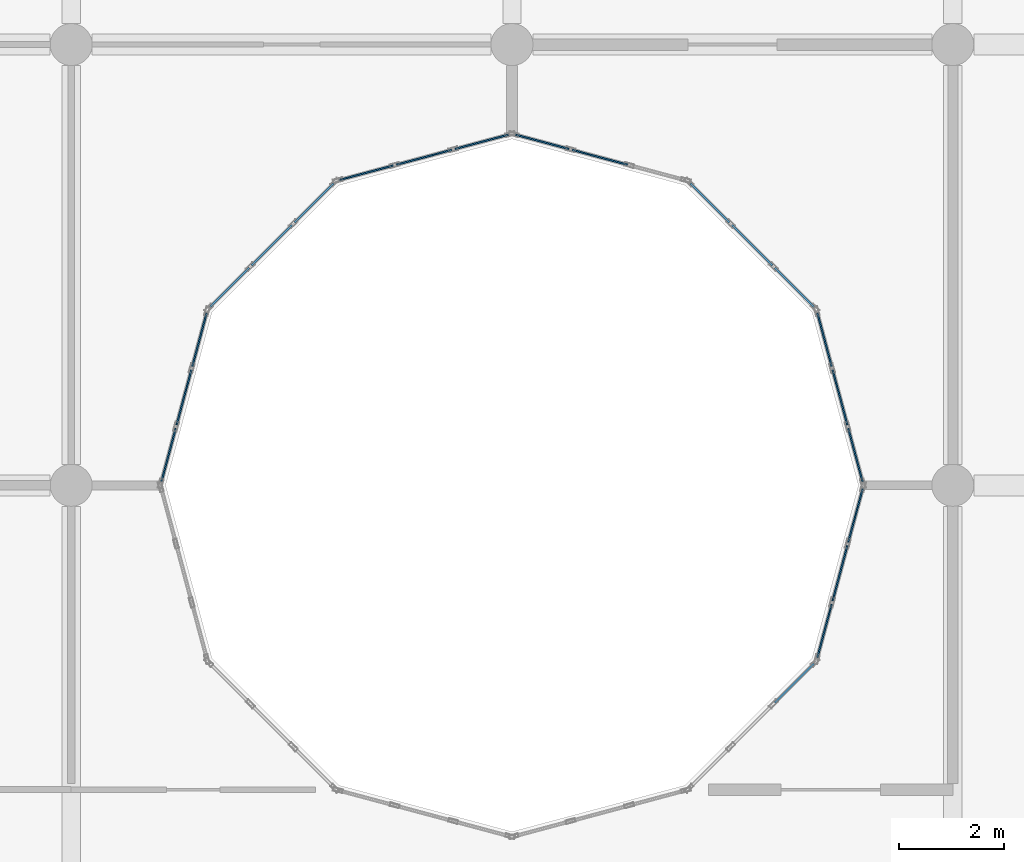
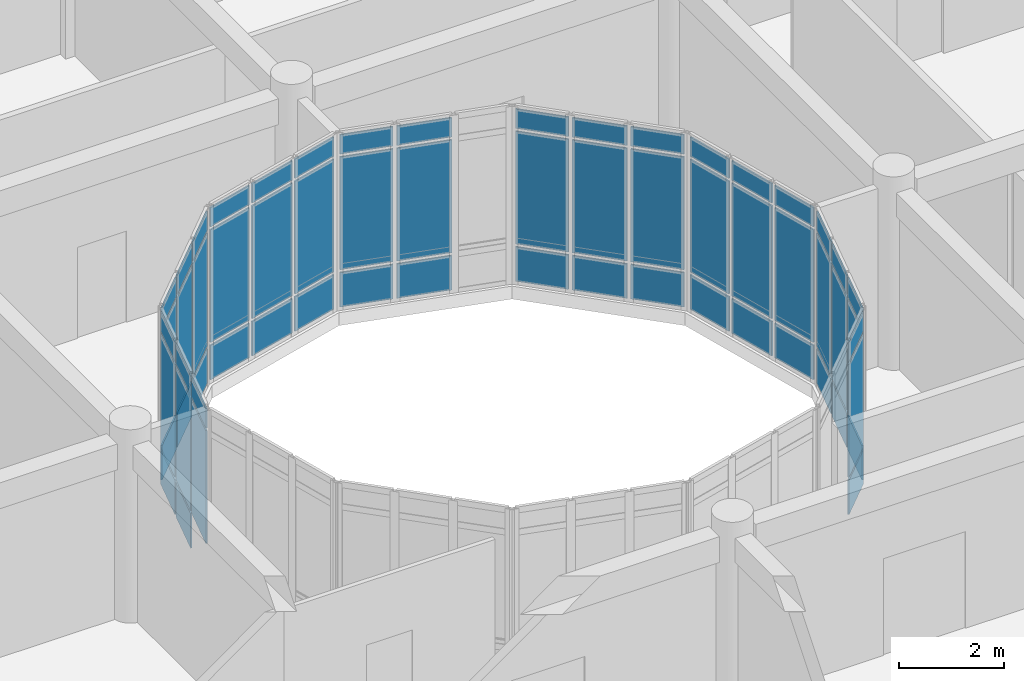
# One storey, part 79 of 144: 62 plates, 8 elements without a shape of their own.
"""IFC4 building model written with IfcOpenShell, lengths in metres."""

from ifc_helpers import new_model, si_unit, direction, frame, origin, origin_2d, place, context, subcontext, project, spatial, rectangle, extrude, material, layer, layer_set, type_object, element, aggregate, save


model = new_model("IFC4")

# Units and contexts
model_context = context("Model", 3, precision=1e-05, world=origin(), true_north=direction((0.0, 1.0)))
body_context = subcontext(model_context, "Body", "Model", "MODEL_VIEW")
ifc_project = project(units=[si_unit("LENGTHUNIT", "METRE"), si_unit("AREAUNIT", "SQUARE_METRE"), si_unit("VOLUMEUNIT", "CUBIC_METRE"), si_unit("PLANEANGLEUNIT", "RADIAN"), si_unit("MASSUNIT", "GRAM", prefix="KILO")], contexts=[model_context])

# Site, building, storey
site_placement = place(None, origin())
site = spatial("IfcSite", under=ifc_project, at=site_placement, CompositionType="ELEMENT")
building_placement = place(site_placement, origin())
building = spatial("IfcBuilding", under=site, at=building_placement, Name="Bramfleet General Hospital", CompositionType="ELEMENT")
storey_placement = place(building_placement, frame((0.0, 0.0, 4.800048828125)))
storey = spatial("IfcBuildingStorey", under=building, at=storey_placement, Name="L01", CompositionType="ELEMENT", Elevation=4.800048828125)

# Curtain wall, plates
ifc_material_1 = material(Name="Anodised aluminium and low-E triple glazing", Category="aluminium")
ifc_layer_1 = layer(ifc_material_1, 0.179931640625, Name="CWT-CW-13")
ifc_layer_set_1 = layer_set([ifc_layer_1], Name="Anodised aluminium and low-E triple glazing")
curtain_wall_type_1 = type_object("IfcCurtainWallType", Name="CWT-CW-13", PredefinedType="USERDEFINED", material=ifc_layer_set_1)
curtain_wall_1_placement = place(storey_placement, origin())
curtain_wall_1 = element("IfcCurtainWall", 1, at=curtain_wall_1_placement, inside=storey, type_object=curtain_wall_type_1, Name="L01 West Clinical Light Court Curtain Wall 5.1", ObjectType="Stick curtain wall", PredefinedType="USERDEFINED")
ifc_material_2 = material(Name="Low-E laminated safety glass", Category="glass")
ifc_layer_2 = layer(ifc_material_2, 0.031982421875, Name="CWP-GLZ-2")
ifc_layer_set_2 = layer_set([ifc_layer_2], Name="Low-E laminated safety glass")
plate_type = type_object("IfcPlateType", Name="CWP-GLZ-2", PredefinedType="CURTAIN_PANEL", material=ifc_layer_set_2)
plate_1_placement = place(storey_placement, frame((30.5810546875, 80.22900390625, 0.06494140625), z_axis=(0.0, 0.0, 1.0), x_axis=(0.707106781187, 0.707106781187, 0.0)))
plate_1 = element("IfcPlate", 2, at=plate_1_placement, type_object=plate_type, Name="CW-13 panel 3.1", PredefinedType="CURTAIN_PANEL", context=body_context, shape_type="SweptSolid", body=[
    extrude(rectangle(XDim=1.05078125, YDim=0.031982421875, at=origin_2d()), origin(), (0.0, 0.0, 1.0), 0.802490234375),
])
plate_2_placement = place(storey_placement, frame((30.5810546875, 80.22900390625, 0.932373046875), z_axis=(0.0, 0.0, 1.0), x_axis=(0.707106781187, 0.707106781187, 0.0)))
plate_2 = element("IfcPlate", 3, at=plate_2_placement, type_object=plate_type, Name="CW-13 panel 3.2", PredefinedType="CURTAIN_PANEL", context=body_context, shape_type="SweptSolid", body=[
    extrude(rectangle(XDim=1.05078125, YDim=0.031982421875, at=origin_2d()), origin(), (0.0, 0.0, 1.0), 2.625),
])
plate_3_placement = place(storey_placement, frame((30.5810546875, 80.22900390625, 3.62255859375), z_axis=(0.0, 0.0, 1.0), x_axis=(0.707106781187, 0.707106781187, 0.0)))
plate_3 = element("IfcPlate", 4, at=plate_3_placement, type_object=plate_type, Name="CW-13 panel 3.3", PredefinedType="CURTAIN_PANEL", context=body_context, shape_type="SweptSolid", body=[
    extrude(rectangle(XDim=1.05078125, YDim=0.031982421875, at=origin_2d()), origin(), (0.0, 0.0, 1.0), 0.452392578125),
])
aggregate(curtain_wall_1, [plate_1, plate_2, plate_3])

ifc_layer_3 = layer(ifc_material_1, 0.179931640625, Name="CWT-CW-14")
ifc_layer_set_3 = layer_set([ifc_layer_3], Name="Anodised aluminium and low-E triple glazing")
curtain_wall_type_2 = type_object("IfcCurtainWallType", Name="CWT-CW-14", PredefinedType="USERDEFINED", material=ifc_layer_set_3)
curtain_wall_2_placement = place(storey_placement, origin())
curtain_wall_2 = element("IfcCurtainWall", 5, at=curtain_wall_2_placement, inside=storey, type_object=curtain_wall_type_2, Name="L01 West Clinical Light Court Curtain Wall 6.1", ObjectType="Stick curtain wall", PredefinedType="USERDEFINED")
plate_4_placement = place(storey_placement, frame((31.15625, 81.225341796875, 0.06494140625), z_axis=(0.0, 0.0, 1.0), x_axis=(0.25891863407, 0.965899136003, 0.0)))
plate_4 = element("IfcPlate", 6, at=plate_4_placement, type_object=plate_type, Name="CW-14 panel 1.1", PredefinedType="CURTAIN_PANEL", context=body_context, shape_type="SweptSolid", body=[
    extrude(rectangle(XDim=1.051025390625, YDim=0.031982421875, at=origin_2d()), origin(), (0.0, 0.0, 1.0), 0.802490234375),
])
plate_5_placement = place(storey_placement, frame((31.15625, 81.225341796875, 0.932373046875), z_axis=(0.0, 0.0, 1.0), x_axis=(0.25891863407, 0.965899136003, 0.0)))
plate_5 = element("IfcPlate", 7, at=plate_5_placement, type_object=plate_type, Name="CW-14 panel 1.2", PredefinedType="CURTAIN_PANEL", context=body_context, shape_type="SweptSolid", body=[
    extrude(rectangle(XDim=1.051025390625, YDim=0.031982421875, at=origin_2d()), origin(), (0.0, 0.0, 1.0), 2.625),
])
plate_6_placement = place(storey_placement, frame((31.15625, 81.225341796875, 3.62255859375), z_axis=(0.0, 0.0, 1.0), x_axis=(0.25891863407, 0.965899136003, 0.0)))
plate_6 = element("IfcPlate", 8, at=plate_6_placement, type_object=plate_type, Name="CW-14 panel 1.3", PredefinedType="CURTAIN_PANEL", context=body_context, shape_type="SweptSolid", body=[
    extrude(rectangle(XDim=1.051025390625, YDim=0.031982421875, at=origin_2d()), origin(), (0.0, 0.0, 1.0), 0.452392578125),
])
plate_7_placement = place(storey_placement, frame((31.450927734375, 82.324951171875, 0.06494140625), z_axis=(0.0, 0.0, 1.0), x_axis=(0.25891863407, 0.965899136003, 0.0)))
plate_7 = element("IfcPlate", 9, at=plate_7_placement, type_object=plate_type, Name="CW-14 panel 2.1", PredefinedType="CURTAIN_PANEL", context=body_context, shape_type="SweptSolid", body=[
    extrude(rectangle(XDim=1.086181640625, YDim=0.031982421875, at=origin_2d()), origin(), (0.0, 0.0, 1.0), 0.802490234375),
])
plate_8_placement = place(storey_placement, frame((31.450927734375, 82.324951171875, 0.932373046875), z_axis=(0.0, 0.0, 1.0), x_axis=(0.25891863407, 0.965899136003, 0.0)))
plate_8 = element("IfcPlate", 10, at=plate_8_placement, type_object=plate_type, Name="CW-14 panel 2.2", PredefinedType="CURTAIN_PANEL", context=body_context, shape_type="SweptSolid", body=[
    extrude(rectangle(XDim=1.086181640625, YDim=0.031982421875, at=origin_2d()), origin(), (0.0, 0.0, 1.0), 2.625),
])
plate_9_placement = place(storey_placement, frame((31.450927734375, 82.324951171875, 3.62255859375), z_axis=(0.0, 0.0, 1.0), x_axis=(0.25891863407, 0.965899136003, 0.0)))
plate_9 = element("IfcPlate", 11, at=plate_9_placement, type_object=plate_type, Name="CW-14 panel 2.3", PredefinedType="CURTAIN_PANEL", context=body_context, shape_type="SweptSolid", body=[
    extrude(rectangle(XDim=1.086181640625, YDim=0.031982421875, at=origin_2d()), origin(), (0.0, 0.0, 1.0), 0.452392578125),
])
plate_10_placement = place(storey_placement, frame((31.745849609375, 83.4248046875, 0.06494140625), z_axis=(0.0, 0.0, 1.0), x_axis=(0.25891863407, 0.965899136003, 0.0)))
plate_10 = element("IfcPlate", 12, at=plate_10_placement, type_object=plate_type, Name="CW-14 panel 3.1", PredefinedType="CURTAIN_PANEL", context=body_context, shape_type="SweptSolid", body=[
    extrude(rectangle(XDim=1.051025390625, YDim=0.031982421875, at=origin_2d()), origin(), (0.0, 0.0, 1.0), 0.802490234375),
])
plate_11_placement = place(storey_placement, frame((31.745849609375, 83.4248046875, 0.932373046875), z_axis=(0.0, 0.0, 1.0), x_axis=(0.25891863407, 0.965899136003, 0.0)))
plate_11 = element("IfcPlate", 13, at=plate_11_placement, type_object=plate_type, Name="CW-14 panel 3.2", PredefinedType="CURTAIN_PANEL", context=body_context, shape_type="SweptSolid", body=[
    extrude(rectangle(XDim=1.051025390625, YDim=0.031982421875, at=origin_2d()), origin(), (0.0, 0.0, 1.0), 2.625),
])
plate_12_placement = place(storey_placement, frame((31.745849609375, 83.4248046875, 3.62255859375), z_axis=(0.0, 0.0, 1.0), x_axis=(0.25891863407, 0.965899136003, 0.0)))
plate_12 = element("IfcPlate", 14, at=plate_12_placement, type_object=plate_type, Name="CW-14 panel 3.3", PredefinedType="CURTAIN_PANEL", context=body_context, shape_type="SweptSolid", body=[
    extrude(rectangle(XDim=1.051025390625, YDim=0.031982421875, at=origin_2d()), origin(), (0.0, 0.0, 1.0), 0.452392578125),
])
aggregate(curtain_wall_2, [plate_4, plate_5, plate_6, plate_7, plate_8, plate_9, plate_10, plate_11, plate_12])

ifc_layer_4 = layer(ifc_material_1, 0.179931640625, Name="CWT-CW-15")
ifc_layer_set_4 = layer_set([ifc_layer_4], Name="Anodised aluminium and low-E triple glazing")
curtain_wall_type_3 = type_object("IfcCurtainWallType", Name="CWT-CW-15", PredefinedType="USERDEFINED", material=ifc_layer_set_4)
curtain_wall_3_placement = place(storey_placement, origin())
curtain_wall_3 = element("IfcCurtainWall", 15, at=curtain_wall_3_placement, inside=storey, type_object=curtain_wall_type_3, Name="L01 West Clinical Light Court Curtain Wall 7.1", ObjectType="Stick curtain wall", PredefinedType="USERDEFINED")
plate_13_placement = place(storey_placement, frame((31.745849609375, 84.5751953125, 0.06494140625), z_axis=(0.0, 0.0, 1.0), x_axis=(-0.25891863407, 0.965899136003, 0.0)))
plate_13 = element("IfcPlate", 16, at=plate_13_placement, type_object=plate_type, Name="CW-15 panel 1.1", PredefinedType="CURTAIN_PANEL", context=body_context, shape_type="SweptSolid", body=[
    extrude(rectangle(XDim=1.051025390625, YDim=0.031982421875, at=origin_2d()), origin(), (0.0, 0.0, 1.0), 0.802490234375),
])
plate_14_placement = place(storey_placement, frame((31.745849609375, 84.5751953125, 0.932373046875), z_axis=(0.0, 0.0, 1.0), x_axis=(-0.25891863407, 0.965899136003, 0.0)))
plate_14 = element("IfcPlate", 17, at=plate_14_placement, type_object=plate_type, Name="CW-15 panel 1.2", PredefinedType="CURTAIN_PANEL", context=body_context, shape_type="SweptSolid", body=[
    extrude(rectangle(XDim=1.051025390625, YDim=0.031982421875, at=origin_2d()), origin(), (0.0, 0.0, 1.0), 2.625),
])
plate_15_placement = place(storey_placement, frame((31.745849609375, 84.5751953125, 3.62255859375), z_axis=(0.0, 0.0, 1.0), x_axis=(-0.25891863407, 0.965899136003, 0.0)))
plate_15 = element("IfcPlate", 18, at=plate_15_placement, type_object=plate_type, Name="CW-15 panel 1.3", PredefinedType="CURTAIN_PANEL", context=body_context, shape_type="SweptSolid", body=[
    extrude(rectangle(XDim=1.051025390625, YDim=0.031982421875, at=origin_2d()), origin(), (0.0, 0.0, 1.0), 0.452392578125),
])
plate_16_placement = place(storey_placement, frame((31.450927734375, 85.675048828125, 0.06494140625), z_axis=(0.0, 0.0, 1.0), x_axis=(-0.25891863407, 0.965899136003, 0.0)))
plate_16 = element("IfcPlate", 19, at=plate_16_placement, type_object=plate_type, Name="CW-15 panel 2.1", PredefinedType="CURTAIN_PANEL", context=body_context, shape_type="SweptSolid", body=[
    extrude(rectangle(XDim=1.086181640625, YDim=0.031982421875, at=origin_2d()), origin(), (0.0, 0.0, 1.0), 0.802490234375),
])
plate_17_placement = place(storey_placement, frame((31.450927734375, 85.675048828125, 0.932373046875), z_axis=(0.0, 0.0, 1.0), x_axis=(-0.25891863407, 0.965899136003, 0.0)))
plate_17 = element("IfcPlate", 20, at=plate_17_placement, type_object=plate_type, Name="CW-15 panel 2.2", PredefinedType="CURTAIN_PANEL", context=body_context, shape_type="SweptSolid", body=[
    extrude(rectangle(XDim=1.086181640625, YDim=0.031982421875, at=origin_2d()), origin(), (0.0, 0.0, 1.0), 2.625),
])
plate_18_placement = place(storey_placement, frame((31.450927734375, 85.675048828125, 3.62255859375), z_axis=(0.0, 0.0, 1.0), x_axis=(-0.25891863407, 0.965899136003, 0.0)))
plate_18 = element("IfcPlate", 21, at=plate_18_placement, type_object=plate_type, Name="CW-15 panel 2.3", PredefinedType="CURTAIN_PANEL", context=body_context, shape_type="SweptSolid", body=[
    extrude(rectangle(XDim=1.086181640625, YDim=0.031982421875, at=origin_2d()), origin(), (0.0, 0.0, 1.0), 0.452392578125),
])
plate_19_placement = place(storey_placement, frame((31.15625, 86.774658203125, 0.06494140625), z_axis=(0.0, 0.0, 1.0), x_axis=(-0.25891863407, 0.965899136003, 0.0)))
plate_19 = element("IfcPlate", 22, at=plate_19_placement, type_object=plate_type, Name="CW-15 panel 3.1", PredefinedType="CURTAIN_PANEL", context=body_context, shape_type="SweptSolid", body=[
    extrude(rectangle(XDim=1.051025390625, YDim=0.031982421875, at=origin_2d()), origin(), (0.0, 0.0, 1.0), 0.802490234375),
])
plate_20_placement = place(storey_placement, frame((31.15625, 86.774658203125, 0.932373046875), z_axis=(0.0, 0.0, 1.0), x_axis=(-0.25891863407, 0.965899136003, 0.0)))
plate_20 = element("IfcPlate", 23, at=plate_20_placement, type_object=plate_type, Name="CW-15 panel 3.2", PredefinedType="CURTAIN_PANEL", context=body_context, shape_type="SweptSolid", body=[
    extrude(rectangle(XDim=1.051025390625, YDim=0.031982421875, at=origin_2d()), origin(), (0.0, 0.0, 1.0), 2.625),
])
plate_21_placement = place(storey_placement, frame((31.15625, 86.774658203125, 3.62255859375), z_axis=(0.0, 0.0, 1.0), x_axis=(-0.25891863407, 0.965899136003, 0.0)))
plate_21 = element("IfcPlate", 24, at=plate_21_placement, type_object=plate_type, Name="CW-15 panel 3.3", PredefinedType="CURTAIN_PANEL", context=body_context, shape_type="SweptSolid", body=[
    extrude(rectangle(XDim=1.051025390625, YDim=0.031982421875, at=origin_2d()), origin(), (0.0, 0.0, 1.0), 0.452392578125),
])
aggregate(curtain_wall_3, [plate_13, plate_14, plate_15, plate_16, plate_17, plate_18, plate_19, plate_20, plate_21])

ifc_layer_5 = layer(ifc_material_1, 0.179931640625, Name="CWT-CW-16")
ifc_layer_set_5 = layer_set([ifc_layer_5], Name="Anodised aluminium and low-E triple glazing")
curtain_wall_type_4 = type_object("IfcCurtainWallType", Name="CWT-CW-16", PredefinedType="USERDEFINED", material=ifc_layer_set_5)
curtain_wall_4_placement = place(storey_placement, origin())
curtain_wall_4 = element("IfcCurtainWall", 25, at=curtain_wall_4_placement, inside=storey, type_object=curtain_wall_type_4, Name="L01 West Clinical Light Court Curtain Wall 8.1", ObjectType="Stick curtain wall", PredefinedType="USERDEFINED")
plate_22_placement = place(storey_placement, frame((30.5810546875, 87.77099609375, 0.06494140625), z_axis=(0.0, 0.0, 1.0), x_axis=(-0.707106781187, 0.707106781187, 0.0)))
plate_22 = element("IfcPlate", 26, at=plate_22_placement, type_object=plate_type, Name="CW-16 panel 1.1", PredefinedType="CURTAIN_PANEL", context=body_context, shape_type="SweptSolid", body=[
    extrude(rectangle(XDim=1.05078125, YDim=0.031982421875, at=origin_2d()), origin(), (0.0, 0.0, 1.0), 0.802490234375),
])
plate_23_placement = place(storey_placement, frame((30.5810546875, 87.77099609375, 0.932373046875), z_axis=(0.0, 0.0, 1.0), x_axis=(-0.707106781187, 0.707106781187, 0.0)))
plate_23 = element("IfcPlate", 27, at=plate_23_placement, type_object=plate_type, Name="CW-16 panel 1.2", PredefinedType="CURTAIN_PANEL", context=body_context, shape_type="SweptSolid", body=[
    extrude(rectangle(XDim=1.05078125, YDim=0.031982421875, at=origin_2d()), origin(), (0.0, 0.0, 1.0), 2.625),
])
plate_24_placement = place(storey_placement, frame((30.5810546875, 87.77099609375, 3.62255859375), z_axis=(0.0, 0.0, 1.0), x_axis=(-0.707106781187, 0.707106781187, 0.0)))
plate_24 = element("IfcPlate", 28, at=plate_24_placement, type_object=plate_type, Name="CW-16 panel 1.3", PredefinedType="CURTAIN_PANEL", context=body_context, shape_type="SweptSolid", body=[
    extrude(rectangle(XDim=1.05078125, YDim=0.031982421875, at=origin_2d()), origin(), (0.0, 0.0, 1.0), 0.452392578125),
])
plate_25_placement = place(storey_placement, frame((29.77587890625, 88.575927734375, 0.06494140625), z_axis=(0.0, 0.0, 1.0), x_axis=(-0.707106781187, 0.707106781187, 0.0)))
plate_25 = element("IfcPlate", 29, at=plate_25_placement, type_object=plate_type, Name="CW-16 panel 2.1", PredefinedType="CURTAIN_PANEL", context=body_context, shape_type="SweptSolid", body=[
    extrude(rectangle(XDim=1.0859375, YDim=0.031982421875, at=origin_2d()), origin(), (0.0, 0.0, 1.0), 0.802490234375),
])
plate_26_placement = place(storey_placement, frame((29.77587890625, 88.575927734375, 0.932373046875), z_axis=(0.0, 0.0, 1.0), x_axis=(-0.707106781187, 0.707106781187, 0.0)))
plate_26 = element("IfcPlate", 30, at=plate_26_placement, type_object=plate_type, Name="CW-16 panel 2.2", PredefinedType="CURTAIN_PANEL", context=body_context, shape_type="SweptSolid", body=[
    extrude(rectangle(XDim=1.0859375, YDim=0.031982421875, at=origin_2d()), origin(), (0.0, 0.0, 1.0), 2.625),
])
plate_27_placement = place(storey_placement, frame((29.77587890625, 88.575927734375, 3.62255859375), z_axis=(0.0, 0.0, 1.0), x_axis=(-0.707106781187, 0.707106781187, 0.0)))
plate_27 = element("IfcPlate", 31, at=plate_27_placement, type_object=plate_type, Name="CW-16 panel 2.3", PredefinedType="CURTAIN_PANEL", context=body_context, shape_type="SweptSolid", body=[
    extrude(rectangle(XDim=1.0859375, YDim=0.031982421875, at=origin_2d()), origin(), (0.0, 0.0, 1.0), 0.452392578125),
])
plate_28_placement = place(storey_placement, frame((28.970947265625, 89.380859375, 0.06494140625), z_axis=(0.0, 0.0, 1.0), x_axis=(-0.707106781187, 0.707106781187, 0.0)))
plate_28 = element("IfcPlate", 32, at=plate_28_placement, type_object=plate_type, Name="CW-16 panel 3.1", PredefinedType="CURTAIN_PANEL", context=body_context, shape_type="SweptSolid", body=[
    extrude(rectangle(XDim=1.05078125, YDim=0.031982421875, at=origin_2d()), origin(), (0.0, 0.0, 1.0), 0.802490234375),
])
plate_29_placement = place(storey_placement, frame((28.970947265625, 89.380859375, 0.932373046875), z_axis=(0.0, 0.0, 1.0), x_axis=(-0.707106781187, 0.707106781187, 0.0)))
plate_29 = element("IfcPlate", 33, at=plate_29_placement, type_object=plate_type, Name="CW-16 panel 3.2", PredefinedType="CURTAIN_PANEL", context=body_context, shape_type="SweptSolid", body=[
    extrude(rectangle(XDim=1.05078125, YDim=0.031982421875, at=origin_2d()), origin(), (0.0, 0.0, 1.0), 2.625),
])
plate_30_placement = place(storey_placement, frame((28.970947265625, 89.380859375, 3.62255859375), z_axis=(0.0, 0.0, 1.0), x_axis=(-0.707106781187, 0.707106781187, 0.0)))
plate_30 = element("IfcPlate", 34, at=plate_30_placement, type_object=plate_type, Name="CW-16 panel 3.3", PredefinedType="CURTAIN_PANEL", context=body_context, shape_type="SweptSolid", body=[
    extrude(rectangle(XDim=1.05078125, YDim=0.031982421875, at=origin_2d()), origin(), (0.0, 0.0, 1.0), 0.452392578125),
])
aggregate(curtain_wall_4, [plate_22, plate_23, plate_24, plate_25, plate_26, plate_27, plate_28, plate_29, plate_30])

ifc_layer_6 = layer(ifc_material_1, 0.179931640625, Name="CWT-CW-17")
ifc_layer_set_6 = layer_set([ifc_layer_6], Name="Anodised aluminium and low-E triple glazing")
curtain_wall_type_5 = type_object("IfcCurtainWallType", Name="CWT-CW-17", PredefinedType="USERDEFINED", material=ifc_layer_set_6)
curtain_wall_5_placement = place(storey_placement, origin())
curtain_wall_5 = element("IfcCurtainWall", 35, at=curtain_wall_5_placement, inside=storey, type_object=curtain_wall_type_5, Name="L01 West Clinical Light Court Curtain Wall 9.1", ObjectType="Stick curtain wall", PredefinedType="USERDEFINED")
plate_31_placement = place(storey_placement, frame((26.875, 90.2509765625, 0.06494140625), z_axis=(0.0, 0.0, 1.0), x_axis=(-0.965899136003, 0.25891863407, 0.0)))
plate_31 = element("IfcPlate", 36, at=plate_31_placement, type_object=plate_type, Name="CW-17 panel 2.1", PredefinedType="CURTAIN_PANEL", context=body_context, shape_type="SweptSolid", body=[
    extrude(rectangle(XDim=1.086181640625, YDim=0.031982421875, at=origin_2d()), origin(), (0.0, 0.0, 1.0), 0.802490234375),
])
plate_32_placement = place(storey_placement, frame((26.875, 90.2509765625, 0.932373046875), z_axis=(0.0, 0.0, 1.0), x_axis=(-0.965899136003, 0.25891863407, 0.0)))
plate_32 = element("IfcPlate", 37, at=plate_32_placement, type_object=plate_type, Name="CW-17 panel 2.2", PredefinedType="CURTAIN_PANEL", context=body_context, shape_type="SweptSolid", body=[
    extrude(rectangle(XDim=1.086181640625, YDim=0.031982421875, at=origin_2d()), origin(), (0.0, 0.0, 1.0), 2.625),
])
plate_33_placement = place(storey_placement, frame((26.875, 90.2509765625, 3.62255859375), z_axis=(0.0, 0.0, 1.0), x_axis=(-0.965899136003, 0.25891863407, 0.0)))
plate_33 = element("IfcPlate", 38, at=plate_33_placement, type_object=plate_type, Name="CW-17 panel 2.3", PredefinedType="CURTAIN_PANEL", context=body_context, shape_type="SweptSolid", body=[
    extrude(rectangle(XDim=1.086181640625, YDim=0.031982421875, at=origin_2d()), origin(), (0.0, 0.0, 1.0), 0.452392578125),
])
plate_34_placement = place(storey_placement, frame((25.775146484375, 90.5458984375, 0.06494140625), z_axis=(0.0, 0.0, 1.0), x_axis=(-0.965899136003, 0.25891863407, 0.0)))
plate_34 = element("IfcPlate", 39, at=plate_34_placement, type_object=plate_type, Name="CW-17 panel 3.1", PredefinedType="CURTAIN_PANEL", context=body_context, shape_type="SweptSolid", body=[
    extrude(rectangle(XDim=1.051025390625, YDim=0.031982421875, at=origin_2d()), origin(), (0.0, 0.0, 1.0), 0.802490234375),
])
plate_35_placement = place(storey_placement, frame((25.775146484375, 90.5458984375, 0.932373046875), z_axis=(0.0, 0.0, 1.0), x_axis=(-0.965899136003, 0.25891863407, 0.0)))
plate_35 = element("IfcPlate", 40, at=plate_35_placement, type_object=plate_type, Name="CW-17 panel 3.2", PredefinedType="CURTAIN_PANEL", context=body_context, shape_type="SweptSolid", body=[
    extrude(rectangle(XDim=1.051025390625, YDim=0.031982421875, at=origin_2d()), origin(), (0.0, 0.0, 1.0), 2.625),
])
plate_36_placement = place(storey_placement, frame((25.775146484375, 90.5458984375, 3.62255859375), z_axis=(0.0, 0.0, 1.0), x_axis=(-0.965899136003, 0.25891863407, 0.0)))
plate_36 = element("IfcPlate", 41, at=plate_36_placement, type_object=plate_type, Name="CW-17 panel 3.3", PredefinedType="CURTAIN_PANEL", context=body_context, shape_type="SweptSolid", body=[
    extrude(rectangle(XDim=1.051025390625, YDim=0.031982421875, at=origin_2d()), origin(), (0.0, 0.0, 1.0), 0.452392578125),
])
aggregate(curtain_wall_5, [plate_31, plate_32, plate_33, plate_34, plate_35, plate_36])

ifc_layer_7 = layer(ifc_material_1, 0.179931640625, Name="CWT-CW-18")
ifc_layer_set_7 = layer_set([ifc_layer_7], Name="Anodised aluminium and low-E triple glazing")
curtain_wall_type_6 = type_object("IfcCurtainWallType", Name="CWT-CW-18", PredefinedType="USERDEFINED", material=ifc_layer_set_7)
curtain_wall_6_placement = place(storey_placement, origin())
curtain_wall_6 = element("IfcCurtainWall", 42, at=curtain_wall_6_placement, inside=storey, type_object=curtain_wall_type_6, Name="L01 West Clinical Light Court Curtain Wall 10.1", ObjectType="Stick curtain wall", PredefinedType="USERDEFINED")
plate_37_placement = place(storey_placement, frame((24.624755859375, 90.5458984375, 0.06494140625), z_axis=(0.0, 0.0, 1.0), x_axis=(-0.965899136003, -0.25891863407, 0.0)))
plate_37 = element("IfcPlate", 43, at=plate_37_placement, type_object=plate_type, Name="CW-18 panel 1.1", PredefinedType="CURTAIN_PANEL", context=body_context, shape_type="SweptSolid", body=[
    extrude(rectangle(XDim=1.051025390625, YDim=0.031982421875, at=origin_2d()), origin(), (0.0, 0.0, 1.0), 0.802490234375),
])
plate_38_placement = place(storey_placement, frame((24.624755859375, 90.5458984375, 0.932373046875), z_axis=(0.0, 0.0, 1.0), x_axis=(-0.965899136003, -0.25891863407, 0.0)))
plate_38 = element("IfcPlate", 44, at=plate_38_placement, type_object=plate_type, Name="CW-18 panel 1.2", PredefinedType="CURTAIN_PANEL", context=body_context, shape_type="SweptSolid", body=[
    extrude(rectangle(XDim=1.051025390625, YDim=0.031982421875, at=origin_2d()), origin(), (0.0, 0.0, 1.0), 2.625),
])
plate_39_placement = place(storey_placement, frame((24.624755859375, 90.5458984375, 3.62255859375), z_axis=(0.0, 0.0, 1.0), x_axis=(-0.965899136003, -0.25891863407, 0.0)))
plate_39 = element("IfcPlate", 45, at=plate_39_placement, type_object=plate_type, Name="CW-18 panel 1.3", PredefinedType="CURTAIN_PANEL", context=body_context, shape_type="SweptSolid", body=[
    extrude(rectangle(XDim=1.051025390625, YDim=0.031982421875, at=origin_2d()), origin(), (0.0, 0.0, 1.0), 0.452392578125),
])
plate_40_placement = place(storey_placement, frame((23.52490234375, 90.2509765625, 0.06494140625), z_axis=(0.0, 0.0, 1.0), x_axis=(-0.965899136003, -0.25891863407, 0.0)))
plate_40 = element("IfcPlate", 46, at=plate_40_placement, type_object=plate_type, Name="CW-18 panel 2.1", PredefinedType="CURTAIN_PANEL", context=body_context, shape_type="SweptSolid", body=[
    extrude(rectangle(XDim=1.086181640625, YDim=0.031982421875, at=origin_2d()), origin(), (0.0, 0.0, 1.0), 0.802490234375),
])
plate_41_placement = place(storey_placement, frame((23.52490234375, 90.2509765625, 0.932373046875), z_axis=(0.0, 0.0, 1.0), x_axis=(-0.965899136003, -0.25891863407, 0.0)))
plate_41 = element("IfcPlate", 47, at=plate_41_placement, type_object=plate_type, Name="CW-18 panel 2.2", PredefinedType="CURTAIN_PANEL", context=body_context, shape_type="SweptSolid", body=[
    extrude(rectangle(XDim=1.086181640625, YDim=0.031982421875, at=origin_2d()), origin(), (0.0, 0.0, 1.0), 2.625),
])
plate_42_placement = place(storey_placement, frame((23.52490234375, 90.2509765625, 3.62255859375), z_axis=(0.0, 0.0, 1.0), x_axis=(-0.965899136003, -0.25891863407, 0.0)))
plate_42 = element("IfcPlate", 48, at=plate_42_placement, type_object=plate_type, Name="CW-18 panel 2.3", PredefinedType="CURTAIN_PANEL", context=body_context, shape_type="SweptSolid", body=[
    extrude(rectangle(XDim=1.086181640625, YDim=0.031982421875, at=origin_2d()), origin(), (0.0, 0.0, 1.0), 0.452392578125),
])
plate_43_placement = place(storey_placement, frame((22.42529296875, 89.956298828125, 0.06494140625), z_axis=(0.0, 0.0, 1.0), x_axis=(-0.965899136003, -0.25891863407, 0.0)))
plate_43 = element("IfcPlate", 49, at=plate_43_placement, type_object=plate_type, Name="CW-18 panel 3.1", PredefinedType="CURTAIN_PANEL", context=body_context, shape_type="SweptSolid", body=[
    extrude(rectangle(XDim=1.051025390625, YDim=0.031982421875, at=origin_2d()), origin(), (0.0, 0.0, 1.0), 0.802490234375),
])
plate_44_placement = place(storey_placement, frame((22.42529296875, 89.956298828125, 0.932373046875), z_axis=(0.0, 0.0, 1.0), x_axis=(-0.965899136003, -0.25891863407, 0.0)))
plate_44 = element("IfcPlate", 50, at=plate_44_placement, type_object=plate_type, Name="CW-18 panel 3.2", PredefinedType="CURTAIN_PANEL", context=body_context, shape_type="SweptSolid", body=[
    extrude(rectangle(XDim=1.051025390625, YDim=0.031982421875, at=origin_2d()), origin(), (0.0, 0.0, 1.0), 2.625),
])
plate_45_placement = place(storey_placement, frame((22.42529296875, 89.956298828125, 3.62255859375), z_axis=(0.0, 0.0, 1.0), x_axis=(-0.965899136003, -0.25891863407, 0.0)))
plate_45 = element("IfcPlate", 51, at=plate_45_placement, type_object=plate_type, Name="CW-18 panel 3.3", PredefinedType="CURTAIN_PANEL", context=body_context, shape_type="SweptSolid", body=[
    extrude(rectangle(XDim=1.051025390625, YDim=0.031982421875, at=origin_2d()), origin(), (0.0, 0.0, 1.0), 0.452392578125),
])
aggregate(curtain_wall_6, [plate_37, plate_38, plate_39, plate_40, plate_41, plate_42, plate_43, plate_44, plate_45])

ifc_layer_8 = layer(ifc_material_1, 0.179931640625, Name="CWT-CW-11")
ifc_layer_set_8 = layer_set([ifc_layer_8], Name="Anodised aluminium and low-E triple glazing")
curtain_wall_type_7 = type_object("IfcCurtainWallType", Name="CWT-CW-11", PredefinedType="USERDEFINED", material=ifc_layer_set_8)
curtain_wall_7_placement = place(storey_placement, origin())
curtain_wall_7 = element("IfcCurtainWall", 52, at=curtain_wall_7_placement, inside=storey, type_object=curtain_wall_type_7, Name="L01 West Clinical Light Court Curtain Wall 11.1", ObjectType="Stick curtain wall", PredefinedType="USERDEFINED")
plate_46_placement = place(storey_placement, frame((21.428955078125, 89.380859375, 0.06494140625), z_axis=(0.0, 0.0, 1.0), x_axis=(-0.707106781187, -0.707106781187, 0.0)))
plate_46 = element("IfcPlate", 53, at=plate_46_placement, type_object=plate_type, Name="CW-11 panel 1.1", PredefinedType="CURTAIN_PANEL", context=body_context, shape_type="SweptSolid", body=[
    extrude(rectangle(XDim=1.05078125, YDim=0.031982421875, at=origin_2d()), origin(), (0.0, 0.0, 1.0), 0.802490234375),
])
plate_47_placement = place(storey_placement, frame((21.428955078125, 89.380859375, 0.932373046875), z_axis=(0.0, 0.0, 1.0), x_axis=(-0.707106781187, -0.707106781187, 0.0)))
plate_47 = element("IfcPlate", 54, at=plate_47_placement, type_object=plate_type, Name="CW-11 panel 1.2", PredefinedType="CURTAIN_PANEL", context=body_context, shape_type="SweptSolid", body=[
    extrude(rectangle(XDim=1.05078125, YDim=0.031982421875, at=origin_2d()), origin(), (0.0, 0.0, 1.0), 2.625),
])
plate_48_placement = place(storey_placement, frame((21.428955078125, 89.380859375, 3.62255859375), z_axis=(0.0, 0.0, 1.0), x_axis=(-0.707106781187, -0.707106781187, 0.0)))
plate_48 = element("IfcPlate", 55, at=plate_48_placement, type_object=plate_type, Name="CW-11 panel 1.3", PredefinedType="CURTAIN_PANEL", context=body_context, shape_type="SweptSolid", body=[
    extrude(rectangle(XDim=1.05078125, YDim=0.031982421875, at=origin_2d()), origin(), (0.0, 0.0, 1.0), 0.452392578125),
])
plate_49_placement = place(storey_placement, frame((20.6240234375, 88.575927734375, 0.06494140625), z_axis=(0.0, 0.0, 1.0), x_axis=(-0.707106781187, -0.707106781187, 0.0)))
plate_49 = element("IfcPlate", 56, at=plate_49_placement, type_object=plate_type, Name="CW-11 panel 2.1", PredefinedType="CURTAIN_PANEL", context=body_context, shape_type="SweptSolid", body=[
    extrude(rectangle(XDim=1.0859375, YDim=0.031982421875, at=origin_2d()), origin(), (0.0, 0.0, 1.0), 0.802490234375),
])
plate_50_placement = place(storey_placement, frame((20.6240234375, 88.575927734375, 0.932373046875), z_axis=(0.0, 0.0, 1.0), x_axis=(-0.707106781187, -0.707106781187, 0.0)))
plate_50 = element("IfcPlate", 57, at=plate_50_placement, type_object=plate_type, Name="CW-11 panel 2.2", PredefinedType="CURTAIN_PANEL", context=body_context, shape_type="SweptSolid", body=[
    extrude(rectangle(XDim=1.0859375, YDim=0.031982421875, at=origin_2d()), origin(), (0.0, 0.0, 1.0), 2.625),
])
plate_51_placement = place(storey_placement, frame((20.6240234375, 88.575927734375, 3.62255859375), z_axis=(0.0, 0.0, 1.0), x_axis=(-0.707106781187, -0.707106781187, 0.0)))
plate_51 = element("IfcPlate", 58, at=plate_51_placement, type_object=plate_type, Name="CW-11 panel 2.3", PredefinedType="CURTAIN_PANEL", context=body_context, shape_type="SweptSolid", body=[
    extrude(rectangle(XDim=1.0859375, YDim=0.031982421875, at=origin_2d()), origin(), (0.0, 0.0, 1.0), 0.452392578125),
])
plate_52_placement = place(storey_placement, frame((19.819091796875, 87.77099609375, 0.06494140625), z_axis=(0.0, 0.0, 1.0), x_axis=(-0.707106781187, -0.707106781187, 0.0)))
plate_52 = element("IfcPlate", 59, at=plate_52_placement, type_object=plate_type, Name="CW-11 panel 3.1", PredefinedType="CURTAIN_PANEL", context=body_context, shape_type="SweptSolid", body=[
    extrude(rectangle(XDim=1.05078125, YDim=0.031982421875, at=origin_2d()), origin(), (0.0, 0.0, 1.0), 0.802490234375),
])
plate_53_placement = place(storey_placement, frame((19.819091796875, 87.77099609375, 0.932373046875), z_axis=(0.0, 0.0, 1.0), x_axis=(-0.707106781187, -0.707106781187, 0.0)))
plate_53 = element("IfcPlate", 60, at=plate_53_placement, type_object=plate_type, Name="CW-11 panel 3.2", PredefinedType="CURTAIN_PANEL", context=body_context, shape_type="SweptSolid", body=[
    extrude(rectangle(XDim=1.05078125, YDim=0.031982421875, at=origin_2d()), origin(), (0.0, 0.0, 1.0), 2.625),
])
plate_54_placement = place(storey_placement, frame((19.819091796875, 87.77099609375, 3.62255859375), z_axis=(0.0, 0.0, 1.0), x_axis=(-0.707106781187, -0.707106781187, 0.0)))
plate_54 = element("IfcPlate", 61, at=plate_54_placement, type_object=plate_type, Name="CW-11 panel 3.3", PredefinedType="CURTAIN_PANEL", context=body_context, shape_type="SweptSolid", body=[
    extrude(rectangle(XDim=1.05078125, YDim=0.031982421875, at=origin_2d()), origin(), (0.0, 0.0, 1.0), 0.452392578125),
])
aggregate(curtain_wall_7, [plate_46, plate_47, plate_48, plate_49, plate_50, plate_51, plate_52, plate_53, plate_54])

ifc_layer_9 = layer(ifc_material_1, 0.179931640625, Name="CWT-CW-12")
ifc_layer_set_9 = layer_set([ifc_layer_9], Name="Anodised aluminium and low-E triple glazing")
curtain_wall_type_8 = type_object("IfcCurtainWallType", Name="CWT-CW-12", PredefinedType="USERDEFINED", material=ifc_layer_set_9)
curtain_wall_8_placement = place(storey_placement, origin())
curtain_wall_8 = element("IfcCurtainWall", 62, at=curtain_wall_8_placement, inside=storey, type_object=curtain_wall_type_8, Name="L01 West Clinical Light Court Curtain Wall 12.1", ObjectType="Stick curtain wall", PredefinedType="USERDEFINED")
plate_55_placement = place(storey_placement, frame((19.243896484375, 86.774658203125, 0.06494140625), z_axis=(0.0, 0.0, 1.0), x_axis=(-0.25891863407, -0.965899136003, 0.0)))
plate_55 = element("IfcPlate", 63, at=plate_55_placement, type_object=plate_type, Name="CW-12 panel 1.1", PredefinedType="CURTAIN_PANEL", context=body_context, shape_type="SweptSolid", body=[
    extrude(rectangle(XDim=1.051025390625, YDim=0.031982421875, at=origin_2d()), origin(), (0.0, 0.0, 1.0), 0.802490234375),
])
plate_56_placement = place(storey_placement, frame((19.243896484375, 86.774658203125, 0.932373046875), z_axis=(0.0, 0.0, 1.0), x_axis=(-0.25891863407, -0.965899136003, 0.0)))
plate_56 = element("IfcPlate", 64, at=plate_56_placement, type_object=plate_type, Name="CW-12 panel 1.2", PredefinedType="CURTAIN_PANEL", context=body_context, shape_type="SweptSolid", body=[
    extrude(rectangle(XDim=1.051025390625, YDim=0.031982421875, at=origin_2d()), origin(), (0.0, 0.0, 1.0), 2.625),
])
plate_57_placement = place(storey_placement, frame((19.243896484375, 86.774658203125, 3.62255859375), z_axis=(0.0, 0.0, 1.0), x_axis=(-0.25891863407, -0.965899136003, 0.0)))
plate_57 = element("IfcPlate", 65, at=plate_57_placement, type_object=plate_type, Name="CW-12 panel 1.3", PredefinedType="CURTAIN_PANEL", context=body_context, shape_type="SweptSolid", body=[
    extrude(rectangle(XDim=1.051025390625, YDim=0.031982421875, at=origin_2d()), origin(), (0.0, 0.0, 1.0), 0.452392578125),
])
plate_58_placement = place(storey_placement, frame((18.948974609375, 85.675048828125, 0.06494140625), z_axis=(0.0, 0.0, 1.0), x_axis=(-0.25891863407, -0.965899136003, 0.0)))
plate_58 = element("IfcPlate", 66, at=plate_58_placement, type_object=plate_type, Name="CW-12 panel 2.1", PredefinedType="CURTAIN_PANEL", context=body_context, shape_type="SweptSolid", body=[
    extrude(rectangle(XDim=1.086181640625, YDim=0.031982421875, at=origin_2d()), origin(), (0.0, 0.0, 1.0), 0.802490234375),
])
plate_59_placement = place(storey_placement, frame((18.948974609375, 85.675048828125, 0.932373046875), z_axis=(0.0, 0.0, 1.0), x_axis=(-0.25891863407, -0.965899136003, 0.0)))
plate_59 = element("IfcPlate", 67, at=plate_59_placement, type_object=plate_type, Name="CW-12 panel 2.2", PredefinedType="CURTAIN_PANEL", context=body_context, shape_type="SweptSolid", body=[
    extrude(rectangle(XDim=1.086181640625, YDim=0.031982421875, at=origin_2d()), origin(), (0.0, 0.0, 1.0), 2.625),
])
plate_60_placement = place(storey_placement, frame((18.948974609375, 85.675048828125, 3.62255859375), z_axis=(0.0, 0.0, 1.0), x_axis=(-0.25891863407, -0.965899136003, 0.0)))
plate_60 = element("IfcPlate", 68, at=plate_60_placement, type_object=plate_type, Name="CW-12 panel 2.3", PredefinedType="CURTAIN_PANEL", context=body_context, shape_type="SweptSolid", body=[
    extrude(rectangle(XDim=1.086181640625, YDim=0.031982421875, at=origin_2d()), origin(), (0.0, 0.0, 1.0), 0.452392578125),
])
plate_61_placement = place(storey_placement, frame((18.654296875, 84.5751953125, 0.932373046875), z_axis=(0.0, 0.0, 1.0), x_axis=(-0.25891863407, -0.965899136003, 0.0)))
plate_61 = element("IfcPlate", 69, at=plate_61_placement, type_object=plate_type, Name="CW-12 panel 3.2", PredefinedType="CURTAIN_PANEL", context=body_context, shape_type="SweptSolid", body=[
    extrude(rectangle(XDim=1.051025390625, YDim=0.031982421875, at=origin_2d()), origin(), (0.0, 0.0, 1.0), 2.625),
])
plate_62_placement = place(storey_placement, frame((18.654296875, 84.5751953125, 3.62255859375), z_axis=(0.0, 0.0, 1.0), x_axis=(-0.25891863407, -0.965899136003, 0.0)))
plate_62 = element("IfcPlate", 70, at=plate_62_placement, type_object=plate_type, Name="CW-12 panel 3.3", PredefinedType="CURTAIN_PANEL", context=body_context, shape_type="SweptSolid", body=[
    extrude(rectangle(XDim=1.051025390625, YDim=0.031982421875, at=origin_2d()), origin(), (0.0, 0.0, 1.0), 0.452392578125),
])
aggregate(curtain_wall_8, [plate_55, plate_56, plate_57, plate_58, plate_59, plate_60, plate_61, plate_62])

save(model, "model.ifc")
